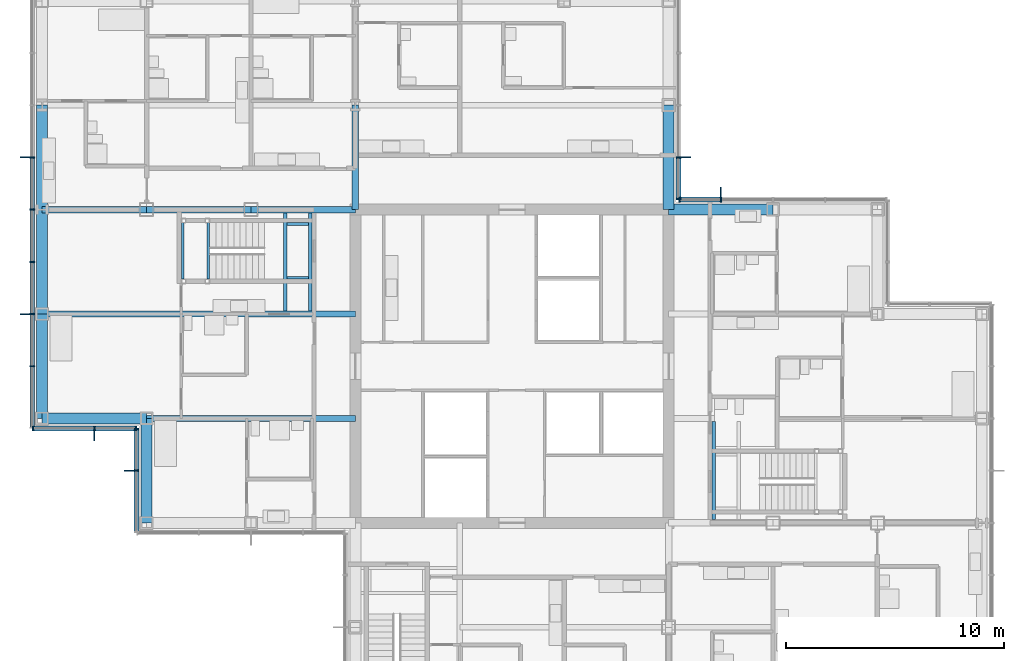
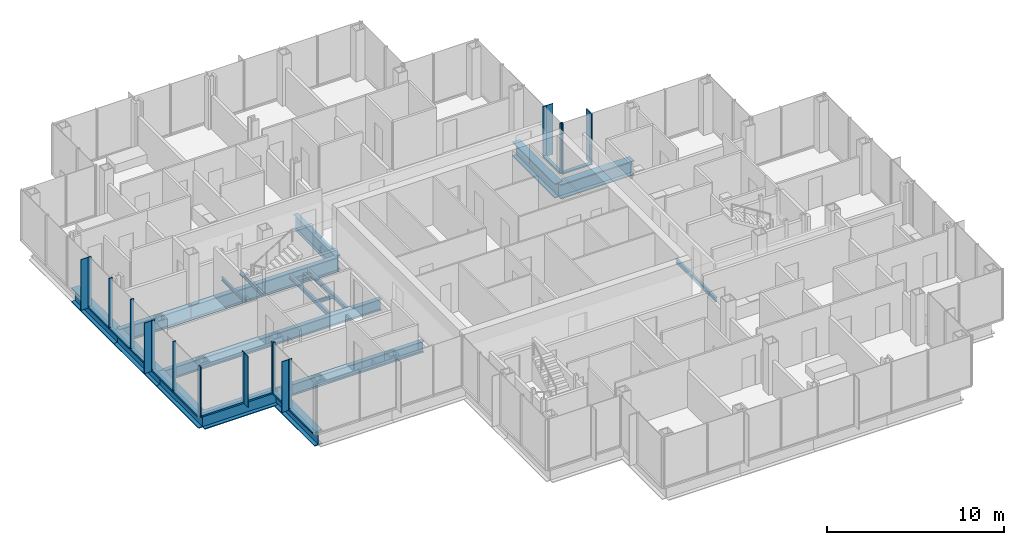
# One storey, part 7 of 19: 31 members, 20 beams, 5 elements without a shape of their own.
"""IFC4 building model written with IfcOpenShell, lengths in metres."""

from ifc_helpers import new_model, si_unit, direction, frame, origin, origin_2d, place, context, subcontext, project, spatial, rectangle, i_section, extrude, material, material_profile, profile_set, type_object, element, aggregate, save


model = new_model("IFC4")

# Units and contexts
model_context = context("Model", 3, precision=1e-05, world=origin(), true_north=direction((0.0, 1.0)))
body_context = subcontext(model_context, "Body", "Model", "MODEL_VIEW")
ifc_project = project(units=[si_unit("LENGTHUNIT", "METRE"), si_unit("AREAUNIT", "SQUARE_METRE"), si_unit("VOLUMEUNIT", "CUBIC_METRE"), si_unit("PLANEANGLEUNIT", "RADIAN"), si_unit("MASSUNIT", "GRAM", prefix="KILO")], contexts=[model_context])

# Site, building, storey
site_placement = place(None, origin())
site = spatial("IfcSite", under=ifc_project, at=site_placement, CompositionType="ELEMENT")
building_placement = place(site_placement, origin())
building = spatial("IfcBuilding", under=site, at=building_placement, Name="Kvirike Care Tower", CompositionType="ELEMENT")
storey_placement = place(building_placement, frame((0.0, 0.0, 108.5)))
storey = spatial("IfcBuildingStorey", under=building, at=storey_placement, Name="L29", CompositionType="ELEMENT", Elevation=108.5)

# Curtain wall, member
ifc_material_1 = material(Name="Anodised aluminium stick system", Category="aluminium")
curtain_wall_type = type_object("IfcCurtainWallType", Name="CW-B STICK CURTAIN WALL", PredefinedType="NOTDEFINED", material=ifc_material_1)
curtain_wall_1_placement = place(storey_placement, origin())
curtain_wall_1 = element("IfcCurtainWall", 1, at=curtain_wall_1_placement, inside=storey, type_object=curtain_wall_type, Name="Curtain wall L29 face 4", PredefinedType="NOTDEFINED")
ifc_material_2 = material(Name="Bronze anodised aluminium fin", Category="aluminium")
ifc_material_profile_1 = material_profile(ifc_material_2, rectangle(XDim=0.050048828125, YDim=0.449951171875, at=origin_2d()), Name="BRONZE FIN 450")
ifc_profile_set_1 = profile_set([ifc_material_profile_1], Name="Bronze anodised aluminium fin")
member_type_1 = type_object("IfcMemberType", Name="BRONZE FIN 450", PredefinedType="USERDEFINED", material=ifc_profile_set_1)
member_1_placement = place(storey_placement, frame((31.199951171875, 43.9951171875, 0.0), z_axis=(0.0, 0.0, 1.0), x_axis=(-1.0, 0.0, 0.0)))
member_1 = element("IfcMember", 2, at=member_1_placement, type_object=member_type_1, Name="Bronze fin L29 face 4.4", ObjectType="FIN", PredefinedType="USERDEFINED", context=body_context, shape_type="SweptSolid", body=[
    extrude(rectangle(XDim=0.050048828125, YDim=0.449951171875, at=origin_2d()), origin(), (0.0, 0.0, 1.0), 3.5),
])

curtain_wall_2_placement = place(storey_placement, origin())
curtain_wall_2 = element("IfcCurtainWall", 3, at=curtain_wall_2_placement, inside=storey, type_object=curtain_wall_type, Name="Curtain wall L29 face 5", PredefinedType="NOTDEFINED")
member_2_placement = place(storey_placement, frame((29.594970703125, 45.60009765625, 0.0), z_axis=(0.0, 0.0, 1.0), x_axis=(0.0, 1.0, 0.0)))
member_2 = element("IfcMember", 4, at=member_2_placement, type_object=member_type_1, Name="Bronze fin L29 face 5.2", ObjectType="FIN", PredefinedType="USERDEFINED", context=body_context, shape_type="SweptSolid", body=[
    extrude(rectangle(XDim=0.050048828125, YDim=0.449951171875, at=origin_2d()), origin(), (0.0, 0.0, 1.0), 3.5),
])

# Curtain wall, members
curtain_wall_3_placement = place(storey_placement, origin())
curtain_wall_3 = element("IfcCurtainWall", 5, at=curtain_wall_3_placement, inside=storey, type_object=curtain_wall_type, Name="Curtain wall L29 face 11", PredefinedType="NOTDEFINED")
member_3_placement = place(storey_placement, frame((-0.794921875, 45.60009765625, 0.0), z_axis=(0.0, 0.0, 1.0), x_axis=(0.0, -1.0, 0.0)))
member_3 = element("IfcMember", 6, at=member_3_placement, type_object=member_type_1, Name="Bronze fin L29 face 11.4", ObjectType="FIN", PredefinedType="USERDEFINED", context=body_context, shape_type="SweptSolid", body=[
    extrude(rectangle(XDim=0.050048828125, YDim=0.449951171875, at=origin_2d()), origin(), (0.0, 0.0, 1.0), 3.5),
])
member_4_placement = place(storey_placement, frame((-0.794921875, 38.39990234375, 0.0), z_axis=(0.0, 0.0, 1.0), x_axis=(0.0, -1.0, 0.0)))
member_4 = element("IfcMember", 7, at=member_4_placement, type_object=member_type_1, Name="Bronze fin L29 face 11.7", ObjectType="FIN", PredefinedType="USERDEFINED", context=body_context, shape_type="SweptSolid", body=[
    extrude(rectangle(XDim=0.050048828125, YDim=0.449951171875, at=origin_2d()), origin(), (0.0, 0.0, 1.0), 3.5),
])

# Curtain wall, member
curtain_wall_4_placement = place(storey_placement, origin())
curtain_wall_4 = element("IfcCurtainWall", 8, at=curtain_wall_4_placement, inside=storey, type_object=curtain_wall_type, Name="Curtain wall L29 face 12", PredefinedType="NOTDEFINED")
member_5_placement = place(storey_placement, frame((2.39990234375, 32.804931640625, 0.0), z_axis=(0.0, 0.0, 1.0), x_axis=(1.0, 0.0, 0.0)))
member_5 = element("IfcMember", 9, at=member_5_placement, type_object=member_type_1, Name="Bronze fin L29 face 12.2", ObjectType="FIN", PredefinedType="USERDEFINED", context=body_context, shape_type="SweptSolid", body=[
    extrude(rectangle(XDim=0.050048828125, YDim=0.449951171875, at=origin_2d()), origin(), (0.0, 0.0, 1.0), 3.5),
])

curtain_wall_5_placement = place(storey_placement, origin())
curtain_wall_5 = element("IfcCurtainWall", 10, at=curtain_wall_5_placement, inside=storey, type_object=curtain_wall_type, Name="Curtain wall L29 face 13", PredefinedType="NOTDEFINED")
member_6_placement = place(storey_placement, frame((4.0048828125, 31.199951171875, 0.0), z_axis=(0.0, 0.0, 1.0), x_axis=(0.0, -1.0, 0.0)))
member_6 = element("IfcMember", 11, at=member_6_placement, type_object=member_type_1, Name="Bronze fin L29 face 13.2", ObjectType="FIN", PredefinedType="USERDEFINED", context=body_context, shape_type="SweptSolid", body=[
    extrude(rectangle(XDim=0.050048828125, YDim=0.449951171875, at=origin_2d()), origin(), (0.0, 0.0, 1.0), 3.5),
])

# Member
ifc_material_3 = material(Name="Bronze anodised aluminium mullion", Category="aluminium")
ifc_material_profile_2 = material_profile(ifc_material_3, rectangle(XDim=0.06494140625, YDim=0.219970703125, at=origin_2d()), Name="CW-B MULLION 65x220")
ifc_profile_set_2 = profile_set([ifc_material_profile_2], Name="Bronze anodised aluminium mullion")
member_type_2 = type_object("IfcMemberType", Name="CW-B MULLION 65x220", PredefinedType="MULLION", material=ifc_profile_set_2)
member_7_placement = place(storey_placement, frame((31.199951171875, 43.659912109375, 0.0), z_axis=(0.0, 0.0, 1.0), x_axis=(-1.0, 0.0, 0.0)))
member_7 = element("IfcMember", 12, at=member_7_placement, type_object=member_type_2, Name="CW-B mullion L29 face 4.4", PredefinedType="MULLION", context=body_context, shape_type="SweptSolid", body=[
    extrude(rectangle(XDim=0.06494140625, YDim=0.219970703125, at=origin_2d()), origin(), (0.0, 0.0, 1.0), 3.5),
])

member_8_placement = place(storey_placement, frame((29.29248046875, 43.659912109375, 0.0), z_axis=(0.0, 0.0, 1.0), x_axis=(-1.0, 0.0, 0.0)))
member_8 = element("IfcMember", 13, at=member_8_placement, type_object=member_type_2, Name="CW-B mullion L29 face 4.5", PredefinedType="MULLION", context=body_context, shape_type="SweptSolid", body=[
    extrude(rectangle(XDim=0.06494140625, YDim=0.219970703125, at=origin_2d()), origin(), (0.0, 0.0, 1.0), 3.5),
])

member_9_placement = place(storey_placement, frame((29.260009765625, 43.6923828125, 0.0), z_axis=(0.0, 0.0, 1.0), x_axis=(0.0, 1.0, 0.0)))
member_9 = element("IfcMember", 14, at=member_9_placement, type_object=member_type_2, Name="CW-B mullion L29 face 5.1", PredefinedType="MULLION", context=body_context, shape_type="SweptSolid", body=[
    extrude(rectangle(XDim=0.06494140625, YDim=0.219970703125, at=origin_2d()), origin(), (0.0, 0.0, 1.0), 3.5),
])

member_10_placement = place(storey_placement, frame((29.260009765625, 45.60009765625, 0.0), z_axis=(0.0, 0.0, 1.0), x_axis=(0.0, 1.0, 0.0)))
member_10 = element("IfcMember", 15, at=member_10_placement, type_object=member_type_2, Name="CW-B mullion L29 face 5.2", PredefinedType="MULLION", context=body_context, shape_type="SweptSolid", body=[
    extrude(rectangle(XDim=0.06494140625, YDim=0.219970703125, at=origin_2d()), origin(), (0.0, 0.0, 1.0), 3.5),
])

member_11_placement = place(storey_placement, frame((-0.4599609375, 45.60009765625, 0.0), z_axis=(0.0, 0.0, 1.0), x_axis=(0.0, -1.0, 0.0)))
member_11 = element("IfcMember", 16, at=member_11_placement, type_object=member_type_2, Name="CW-B mullion L29 face 11.4", PredefinedType="MULLION", context=body_context, shape_type="SweptSolid", body=[
    extrude(rectangle(XDim=0.06494140625, YDim=0.219970703125, at=origin_2d()), origin(), (0.0, 0.0, 1.0), 3.5),
])

member_12_placement = place(storey_placement, frame((-0.4599609375, 43.199951171875, 0.0), z_axis=(0.0, 0.0, 1.0), x_axis=(0.0, -1.0, 0.0)))
member_12 = element("IfcMember", 17, at=member_12_placement, type_object=member_type_2, Name="CW-B mullion L29 face 11.5", PredefinedType="MULLION", context=body_context, shape_type="SweptSolid", body=[
    extrude(rectangle(XDim=0.06494140625, YDim=0.219970703125, at=origin_2d()), origin(), (0.0, 0.0, 1.0), 3.5),
])

member_13_placement = place(storey_placement, frame((-0.4599609375, 40.800048828125, 0.0), z_axis=(0.0, 0.0, 1.0), x_axis=(0.0, -1.0, 0.0)))
member_13 = element("IfcMember", 18, at=member_13_placement, type_object=member_type_2, Name="CW-B mullion L29 face 11.6", PredefinedType="MULLION", context=body_context, shape_type="SweptSolid", body=[
    extrude(rectangle(XDim=0.06494140625, YDim=0.219970703125, at=origin_2d()), origin(), (0.0, 0.0, 1.0), 3.5),
])

member_14_placement = place(storey_placement, frame((-0.4599609375, 38.39990234375, 0.0), z_axis=(0.0, 0.0, 1.0), x_axis=(0.0, -1.0, 0.0)))
member_14 = element("IfcMember", 19, at=member_14_placement, type_object=member_type_2, Name="CW-B mullion L29 face 11.7", PredefinedType="MULLION", context=body_context, shape_type="SweptSolid", body=[
    extrude(rectangle(XDim=0.06494140625, YDim=0.219970703125, at=origin_2d()), origin(), (0.0, 0.0, 1.0), 3.5),
])

member_15_placement = place(storey_placement, frame((-0.4599609375, 36.0, 0.0), z_axis=(0.0, 0.0, 1.0), x_axis=(0.0, -1.0, 0.0)))
member_15 = element("IfcMember", 20, at=member_15_placement, type_object=member_type_2, Name="CW-B mullion L29 face 11.8", PredefinedType="MULLION", context=body_context, shape_type="SweptSolid", body=[
    extrude(rectangle(XDim=0.06494140625, YDim=0.219970703125, at=origin_2d()), origin(), (0.0, 0.0, 1.0), 3.5),
])

member_16_placement = place(storey_placement, frame((-0.427490234375, 33.139892578125, 0.0), z_axis=(0.0, 0.0, 1.0), x_axis=(1.0, 0.0, 0.0)))
member_16 = element("IfcMember", 21, at=member_16_placement, type_object=member_type_2, Name="CW-B mullion L29 face 12.1", PredefinedType="MULLION", context=body_context, shape_type="SweptSolid", body=[
    extrude(rectangle(XDim=0.06494140625, YDim=0.219970703125, at=origin_2d()), origin(), (0.0, 0.0, 1.0), 3.5),
])

member_17_placement = place(storey_placement, frame((2.39990234375, 33.139892578125, 0.0), z_axis=(0.0, 0.0, 1.0), x_axis=(1.0, 0.0, 0.0)))
member_17 = element("IfcMember", 22, at=member_17_placement, type_object=member_type_2, Name="CW-B mullion L29 face 12.2", PredefinedType="MULLION", context=body_context, shape_type="SweptSolid", body=[
    extrude(rectangle(XDim=0.06494140625, YDim=0.219970703125, at=origin_2d()), origin(), (0.0, 0.0, 1.0), 3.5),
])

member_18_placement = place(storey_placement, frame((4.3076171875, 33.139892578125, 0.0), z_axis=(0.0, 0.0, 1.0), x_axis=(1.0, 0.0, 0.0)))
member_18 = element("IfcMember", 23, at=member_18_placement, type_object=member_type_2, Name="CW-B mullion L29 face 12.3", PredefinedType="MULLION", context=body_context, shape_type="SweptSolid", body=[
    extrude(rectangle(XDim=0.06494140625, YDim=0.219970703125, at=origin_2d()), origin(), (0.0, 0.0, 1.0), 3.5),
])

member_19_placement = place(storey_placement, frame((4.340087890625, 33.107421875, 0.0), z_axis=(0.0, 0.0, 1.0), x_axis=(0.0, -1.0, 0.0)))
member_19 = element("IfcMember", 24, at=member_19_placement, type_object=member_type_2, Name="CW-B mullion L29 face 13.1", PredefinedType="MULLION", context=body_context, shape_type="SweptSolid", body=[
    extrude(rectangle(XDim=0.06494140625, YDim=0.219970703125, at=origin_2d()), origin(), (0.0, 0.0, 1.0), 3.5),
])

member_20_placement = place(storey_placement, frame((4.340087890625, 31.199951171875, 0.0), z_axis=(0.0, 0.0, 1.0), x_axis=(0.0, -1.0, 0.0)))
member_20 = element("IfcMember", 25, at=member_20_placement, type_object=member_type_2, Name="CW-B mullion L29 face 13.2", PredefinedType="MULLION", context=body_context, shape_type="SweptSolid", body=[
    extrude(rectangle(XDim=0.06494140625, YDim=0.219970703125, at=origin_2d()), origin(), (0.0, 0.0, 1.0), 3.5),
])

ifc_material_4 = material(Name="Bronze anodised aluminium transom", Category="aluminium")
ifc_material_profile_3 = material_profile(ifc_material_4, rectangle(XDim=0.219970703125, YDim=0.10009765625, at=origin_2d()), Name="CW-B TRANSOM 220x100")
ifc_profile_set_3 = profile_set([ifc_material_profile_3], Name="Bronze anodised aluminium transom")
member_type_3 = type_object("IfcMemberType", Name="CW-B TRANSOM 220x100", PredefinedType="USERDEFINED", material=ifc_profile_set_3)
member_21_placement = place(storey_placement, frame((31.16748046875, 43.659912109375, 0.050048828125), z_axis=(-1.0, 0.0, 0.0), x_axis=(0.0, -1.0, 0.0)))
member_21 = element("IfcMember", 26, at=member_21_placement, type_object=member_type_3, Name="CW-B sill transom L29 face 4.4", ObjectType="TRANSOM", PredefinedType="USERDEFINED", context=body_context, shape_type="SweptSolid", body=[
    extrude(rectangle(XDim=0.219970703125, YDim=0.10009765625, at=origin_2d()), origin(), (0.0, 0.0, 1.0), 1.842529296875),
])

aggregate(curtain_wall_1, [member_7, member_1, member_8, member_21])

member_22_placement = place(storey_placement, frame((29.260009765625, 43.72509765625, 0.050048828125), z_axis=(0.0, 1.0, 0.0), x_axis=(-1.0, 0.0, 0.0)))
member_22 = element("IfcMember", 27, at=member_22_placement, type_object=member_type_3, Name="CW-B sill transom L29 face 5.1", ObjectType="TRANSOM", PredefinedType="USERDEFINED", context=body_context, shape_type="SweptSolid", body=[
    extrude(rectangle(XDim=0.219970703125, YDim=0.10009765625, at=origin_2d()), origin(), (0.0, 0.0, 1.0), 1.84228515625),
])

aggregate(curtain_wall_2, [member_9, member_10, member_2, member_22])

member_23_placement = place(storey_placement, frame((-0.4599609375, 45.5673828125, 0.050048828125), z_axis=(0.0, -1.0, 0.0), x_axis=(1.0, 0.0, 0.0)))
member_23 = element("IfcMember", 28, at=member_23_placement, type_object=member_type_3, Name="CW-B sill transom L29 face 11.4", ObjectType="TRANSOM", PredefinedType="USERDEFINED", context=body_context, shape_type="SweptSolid", body=[
    extrude(rectangle(XDim=0.219970703125, YDim=0.10009765625, at=origin_2d()), origin(), (0.0, 0.0, 1.0), 2.3349609375),
])

member_24_placement = place(storey_placement, frame((-0.4599609375, 43.16748046875, 0.050048828125), z_axis=(0.0, -1.0, 0.0), x_axis=(1.0, 0.0, 0.0)))
member_24 = element("IfcMember", 29, at=member_24_placement, type_object=member_type_3, Name="CW-B sill transom L29 face 11.5", ObjectType="TRANSOM", PredefinedType="USERDEFINED", context=body_context, shape_type="SweptSolid", body=[
    extrude(rectangle(XDim=0.219970703125, YDim=0.10009765625, at=origin_2d()), origin(), (0.0, 0.0, 1.0), 2.3349609375),
])

member_25_placement = place(storey_placement, frame((-0.4599609375, 40.767578125, 0.050048828125), z_axis=(0.0, -1.0, 0.0), x_axis=(1.0, 0.0, 0.0)))
member_25 = element("IfcMember", 30, at=member_25_placement, type_object=member_type_3, Name="CW-B sill transom L29 face 11.6", ObjectType="TRANSOM", PredefinedType="USERDEFINED", context=body_context, shape_type="SweptSolid", body=[
    extrude(rectangle(XDim=0.219970703125, YDim=0.10009765625, at=origin_2d()), origin(), (0.0, 0.0, 1.0), 2.3349609375),
])

member_26_placement = place(storey_placement, frame((-0.4599609375, 38.367431640625, 0.050048828125), z_axis=(0.0, -1.0, 0.0), x_axis=(1.0, 0.0, 0.0)))
member_26 = element("IfcMember", 31, at=member_26_placement, type_object=member_type_3, Name="CW-B sill transom L29 face 11.7", ObjectType="TRANSOM", PredefinedType="USERDEFINED", context=body_context, shape_type="SweptSolid", body=[
    extrude(rectangle(XDim=0.219970703125, YDim=0.10009765625, at=origin_2d()), origin(), (0.0, 0.0, 1.0), 2.3349609375),
])

member_27_placement = place(storey_placement, frame((-0.4599609375, 35.967529296875, 0.050048828125), z_axis=(0.0, -1.0, 0.0), x_axis=(1.0, 0.0, 0.0)))
member_27 = element("IfcMember", 32, at=member_27_placement, type_object=member_type_3, Name="CW-B sill transom L29 face 11.8", ObjectType="TRANSOM", PredefinedType="USERDEFINED", context=body_context, shape_type="SweptSolid", body=[
    extrude(rectangle(XDim=0.219970703125, YDim=0.10009765625, at=origin_2d()), origin(), (0.0, 0.0, 1.0), 2.762451171875),
])

aggregate(curtain_wall_3, [member_11, member_3, member_12, member_13, member_14, member_4, member_15, member_23, member_24, member_25, member_26, member_27])

member_28_placement = place(storey_placement, frame((-0.39501953125, 33.139892578125, 0.050048828125), z_axis=(1.0, 0.0, 0.0), x_axis=(0.0, 1.0, 0.0)))
member_28 = element("IfcMember", 33, at=member_28_placement, type_object=member_type_3, Name="CW-B sill transom L29 face 12.1", ObjectType="TRANSOM", PredefinedType="USERDEFINED", context=body_context, shape_type="SweptSolid", body=[
    extrude(rectangle(XDim=0.219970703125, YDim=0.10009765625, at=origin_2d()), origin(), (0.0, 0.0, 1.0), 2.762451171875),
])

member_29_placement = place(storey_placement, frame((2.4326171875, 33.139892578125, 0.050048828125), z_axis=(1.0, 0.0, 0.0), x_axis=(0.0, 1.0, 0.0)))
member_29 = element("IfcMember", 34, at=member_29_placement, type_object=member_type_3, Name="CW-B sill transom L29 face 12.2", ObjectType="TRANSOM", PredefinedType="USERDEFINED", context=body_context, shape_type="SweptSolid", body=[
    extrude(rectangle(XDim=0.219970703125, YDim=0.10009765625, at=origin_2d()), origin(), (0.0, 0.0, 1.0), 1.84228515625),
])

aggregate(curtain_wall_4, [member_16, member_17, member_5, member_18, member_28, member_29])

member_30_placement = place(storey_placement, frame((4.340087890625, 33.074951171875, 0.050048828125), z_axis=(0.0, -1.0, 0.0), x_axis=(1.0, 0.0, 0.0)))
member_30 = element("IfcMember", 35, at=member_30_placement, type_object=member_type_3, Name="CW-B sill transom L29 face 13.1", ObjectType="TRANSOM", PredefinedType="USERDEFINED", context=body_context, shape_type="SweptSolid", body=[
    extrude(rectangle(XDim=0.219970703125, YDim=0.10009765625, at=origin_2d()), origin(), (0.0, 0.0, 1.0), 1.842529296875),
])

member_31_placement = place(storey_placement, frame((4.340087890625, 31.16748046875, 0.050048828125), z_axis=(0.0, -1.0, 0.0), x_axis=(1.0, 0.0, 0.0)))
member_31 = element("IfcMember", 36, at=member_31_placement, type_object=member_type_3, Name="CW-B sill transom L29 face 13.2", ObjectType="TRANSOM", PredefinedType="USERDEFINED", context=body_context, shape_type="SweptSolid", body=[
    extrude(rectangle(XDim=0.219970703125, YDim=0.10009765625, at=origin_2d()), origin(), (0.0, 0.0, 1.0), 2.762451171875),
])

aggregate(curtain_wall_5, [member_19, member_20, member_6, member_30, member_31])

# Beams
ifc_material_5 = material(Name="Steel S355", Category="steel")
ifc_material_profile_4 = material_profile(ifc_material_5, i_section(OverallWidth=0.26806640625, OverallDepth=0.77001953125, WebThickness=0.015625, FlangeThickness=0.025390625, FilletRadius=0.01708984375, at=origin_2d()), Name="IPE 750x196")
ifc_profile_set_4 = profile_set([ifc_material_profile_4], Name="Steel S355")
beam_type_1 = type_object("IfcBeamType", Name="FLOOR BEAM IPE 750x196", PredefinedType="BEAM", material=ifc_profile_set_4)
beam_1_placement = place(storey_placement, frame((4.800048828125, 33.60009765625, -0.554931640625), z_axis=(1.0, 0.0, 0.0), x_axis=(0.0, 1.0, 0.0)))
element("IfcBeam", 37, at=beam_1_placement, inside=storey, type_object=beam_type_1, Name="Floor Beam H4-H6 L29", PredefinedType="BEAM", context=body_context, shape_type="SweptSolid", body=[
    extrude(i_section(OverallWidth=0.26806640625, OverallDepth=0.77001953125, WebThickness=0.015625, FlangeThickness=0.025390625, FilletRadius=0.01708984375, at=origin_2d()), origin(), (0.0, 0.0, 1.0), 9.599853515625),
])
beam_2_placement = place(storey_placement, frame((0.0, 38.39990234375, -0.554931640625), z_axis=(1.0, 0.0, 0.0), x_axis=(0.0, 1.0, 0.0)))
element("IfcBeam", 38, at=beam_2_placement, inside=storey, type_object=beam_type_1, Name="Floor Beam J3-J6 L29", PredefinedType="BEAM", context=body_context, shape_type="SweptSolid", body=[
    extrude(i_section(OverallWidth=0.26806640625, OverallDepth=0.77001953125, WebThickness=0.015625, FlangeThickness=0.025390625, FilletRadius=0.01708984375, at=origin_2d()), origin(), (0.0, 0.0, 1.0), 14.39990234375),
])
ifc_material_6 = material(Name="Steel S355", Category="steel")
ifc_material_profile_5 = material_profile(ifc_material_6, i_section(OverallWidth=0.300048828125, OverallDepth=1.0, WebThickness=0.01904296875, FlangeThickness=0.035888671875, FilletRadius=0.030029296875, at=origin_2d()), Name="HE 1000 B")
ifc_profile_set_5 = profile_set([ifc_material_profile_5], Name="Steel S355")
beam_type_2 = type_object("IfcBeamType", Name="FRAME BEAM HE 1000 B", PredefinedType="BEAM", material=ifc_profile_set_5)
for number, where, z_axis, x_axis, name in (
    (39, (0.0, 43.199951171875, -0.669921875), (1.0, 0.0, 0.0), (0.0, 1.0, 0.0), "Frame Beam K3-K4 L29"),
    (40, (4.800048828125, 43.199951171875, -0.669921875), (1.0, 0.0, 0.0), (0.0, 1.0, 0.0), "Frame Beam K4-K5 L29"),
):
    element("IfcBeam", number, at=place(storey_placement, frame(where, z_axis=z_axis, x_axis=x_axis)), inside=storey, type_object=beam_type_2, Name=name, PredefinedType="BEAM", context=body_context, shape_type="SweptSolid", body=[
        extrude(i_section(OverallWidth=0.300048828125, OverallDepth=1.0, WebThickness=0.01904296875, FlangeThickness=0.035888671875, FilletRadius=0.030029296875, at=origin_2d()), origin(), (0.0, 0.0, 1.0), 4.800048828125),
    ])
beam_3_placement = place(storey_placement, frame((9.60009765625, 43.199951171875, -0.669921875), z_axis=(1.0, 0.0, 0.0), x_axis=(0.0, 1.0, 0.0)))
element("IfcBeam", 41, at=beam_3_placement, inside=storey, type_object=beam_type_2, Name="Frame Beam K5-K6 L29", PredefinedType="BEAM", context=body_context, shape_type="SweptSolid", body=[
    extrude(i_section(OverallWidth=0.300048828125, OverallDepth=1.0, WebThickness=0.01904296875, FlangeThickness=0.035888671875, FilletRadius=0.030029296875, at=origin_2d()), origin(), (0.0, 0.0, 1.0), 4.7998046875),
])
beam_4_placement = place(storey_placement, frame((14.39990234375, 43.199951171875, -0.669921875), z_axis=(0.0, 1.0, 0.0), x_axis=(-1.0, 0.0, 0.0)))
element("IfcBeam", 42, at=beam_4_placement, inside=storey, type_object=beam_type_2, Name="Frame Beam K6-L6 L29", PredefinedType="BEAM", context=body_context, shape_type="SweptSolid", body=[
    extrude(i_section(OverallWidth=0.300048828125, OverallDepth=1.0, WebThickness=0.01904296875, FlangeThickness=0.035888671875, FilletRadius=0.030029296875, at=origin_2d()), origin(), (0.0, 0.0, 1.0), 4.800048828125),
])
ifc_material_7 = material(Name="Steel S355", Category="steel")
ifc_material_profile_6 = material_profile(ifc_material_7, i_section(OverallWidth=0.5, OverallDepth=1.0, WebThickness=0.030029296875, FlangeThickness=0.06005859375, at=origin_2d()), Name="PG 1000x500x30x60")
ifc_profile_set_6 = profile_set([ifc_material_profile_6], Name="Steel S355")
beam_type_3 = type_object("IfcBeamType", Name="SPANDREL PG 1000x500x30x60", PredefinedType="SPANDREL", material=ifc_profile_set_6)
for number, where, z_axis, x_axis, name in (
    (43, (0.0, 33.60009765625, -0.669921875), (1.0, 0.0, 0.0), (0.0, 1.0, 0.0), "Spandrel H3-H4 L29"),
    (44, (28.800048828125, 43.199951171875, -0.669921875), (1.0, 0.0, 0.0), (0.0, 1.0, 0.0), "Spandrel K9-K10 L29"),
):
    element("IfcBeam", number, at=place(storey_placement, frame(where, z_axis=z_axis, x_axis=x_axis)), inside=storey, type_object=beam_type_3, Name=name, PredefinedType="SPANDREL", context=body_context, shape_type="SweptSolid", body=[
        extrude(i_section(OverallWidth=0.5, OverallDepth=1.0, WebThickness=0.030029296875, FlangeThickness=0.06005859375, at=origin_2d()), origin(), (0.0, 0.0, 1.0), 4.800048828125),
    ])
beam_5_placement = place(storey_placement, frame((0.0, 33.60009765625, -0.669921875), z_axis=(0.0, 1.0, 0.0), x_axis=(-1.0, 0.0, 0.0)))
element("IfcBeam", 45, at=beam_5_placement, inside=storey, type_object=beam_type_3, Name="Spandrel H3-J3 L29", PredefinedType="SPANDREL", context=body_context, shape_type="SweptSolid", body=[
    extrude(i_section(OverallWidth=0.5, OverallDepth=1.0, WebThickness=0.030029296875, FlangeThickness=0.06005859375, at=origin_2d()), origin(), (0.0, 0.0, 1.0), 4.7998046875),
])
for number, where, z_axis, x_axis, name in (
    (46, (0.0, 38.39990234375, -0.669921875), (0.0, 1.0, 0.0), (-1.0, 0.0, 0.0), "Spandrel J3-K3 L29"),
    (47, (0.0, 43.199951171875, -0.669921875), (0.0, 1.0, 0.0), (-1.0, 0.0, 0.0), "Spandrel K3-L3 L29"),
    (48, (4.800048828125, 28.800048828125, -0.669921875), (0.0, 1.0, 0.0), (-1.0, 0.0, 0.0), "Spandrel G4-H4 L29"),
    (49, (28.800048828125, 43.199951171875, -0.669921875), (0.0, 1.0, 0.0), (-1.0, 0.0, 0.0), "Spandrel K9-L9 L29"),
):
    element("IfcBeam", number, at=place(storey_placement, frame(where, z_axis=z_axis, x_axis=x_axis)), inside=storey, type_object=beam_type_3, Name=name, PredefinedType="SPANDREL", context=body_context, shape_type="SweptSolid", body=[
        extrude(i_section(OverallWidth=0.5, OverallDepth=1.0, WebThickness=0.030029296875, FlangeThickness=0.06005859375, at=origin_2d()), origin(), (0.0, 0.0, 1.0), 4.800048828125),
    ])
ifc_material_8 = material(Name="Steel S355", Category="steel")
ifc_material_profile_7 = material_profile(ifc_material_8, i_section(OverallWidth=0.1201171875, OverallDepth=0.239990234375, WebThickness=0.006103515625, FlangeThickness=0.009765625, FilletRadius=0.014892578125, at=origin_2d()), Name="IPE 240")
ifc_profile_set_7 = profile_set([ifc_material_profile_7], Name="Steel S355")
beam_type_4 = type_object("IfcBeamType", Name="STAIR LANDING BEAM IPE 240", PredefinedType="BEAM", material=ifc_profile_set_7)
for number, where, z_axis, x_axis, name in (
    (50, (6.4599609375, 42.60009765625, 1.429931640625), (0.0, -1.0, 0.0), (1.0, 0.0, 0.0), "Stair 1 landing beam back L29"),
    (51, (7.639892578125, 42.60009765625, 1.429931640625), (0.0, -1.0, 0.0), (1.0, 0.0, 0.0), "Stair 1 landing beam front L29"),
):
    element("IfcBeam", number, at=place(storey_placement, frame(where, z_axis=z_axis, x_axis=x_axis)), inside=storey, type_object=beam_type_4, Name=name, PredefinedType="BEAM", context=body_context, shape_type="SweptSolid", body=[
        extrude(i_section(OverallWidth=0.1201171875, OverallDepth=0.239990234375, WebThickness=0.006103515625, FlangeThickness=0.009765625, FilletRadius=0.014892578125, at=origin_2d()), origin(), (0.0, 0.0, 1.0), 2.60009765625),
    ])
for number, where, z_axis, x_axis, name in (
    (52, (11.25, 42.5400390625, -0.320068359375), (1.0, 0.0, 0.0), (0.0, 1.0, 0.0), "Stair 1 landing edge beam 1 L29"),
    (53, (11.25, 40.06005859375, -0.320068359375), (1.0, 0.0, 0.0), (0.0, 1.0, 0.0), "Stair 1 landing edge beam 2 L29"),
):
    element("IfcBeam", number, at=place(storey_placement, frame(where, z_axis=z_axis, x_axis=x_axis)), inside=storey, type_object=beam_type_4, Name=name, PredefinedType="BEAM", context=body_context, shape_type="SweptSolid", body=[
        extrude(i_section(OverallWidth=0.1201171875, OverallDepth=0.239990234375, WebThickness=0.006103515625, FlangeThickness=0.009765625, FilletRadius=0.014892578125, at=origin_2d()), origin(), (0.0, 0.0, 1.0), 1.0),
    ])
ifc_material_9 = material(Name="Steel S355", Category="steel")
ifc_material_profile_8 = material_profile(ifc_material_9, i_section(OverallWidth=0.14990234375, OverallDepth=0.300048828125, WebThickness=0.007080078125, FlangeThickness=0.0107421875, FilletRadius=0.014892578125, at=origin_2d()), Name="IPE 300")
ifc_profile_set_8 = profile_set([ifc_material_profile_8], Name="Steel S355")
beam_type_5 = type_object("IfcBeamType", Name="STAIR TRIMMER IPE 300", PredefinedType="BEAM", material=ifc_profile_set_8)
for number, where, z_axis, x_axis, name in (
    (54, (11.175048828125, 43.050048828125, -0.35009765625), (0.0, -1.0, 0.0), (1.0, 0.0, 0.0), "Stair 1 trimmer 1 L29"),
    (55, (12.324951171875, 43.050048828125, -0.35009765625), (0.0, -1.0, 0.0), (1.0, 0.0, 0.0), "Stair 1 trimmer 2 L29"),
    (56, (30.875, 28.949951171875, -0.35009765625), (0.0, 1.0, 0.0), (-1.0, 0.0, 0.0), "Stair 2 trimmer 2 L29"),
):
    element("IfcBeam", number, at=place(storey_placement, frame(where, z_axis=z_axis, x_axis=x_axis)), inside=storey, type_object=beam_type_5, Name=name, PredefinedType="BEAM", context=body_context, shape_type="SweptSolid", body=[
        extrude(i_section(OverallWidth=0.14990234375, OverallDepth=0.300048828125, WebThickness=0.007080078125, FlangeThickness=0.0107421875, FilletRadius=0.014892578125, at=origin_2d()), origin(), (0.0, 0.0, 1.0), 4.51611328125),
    ])

save(model, "model.ifc")
